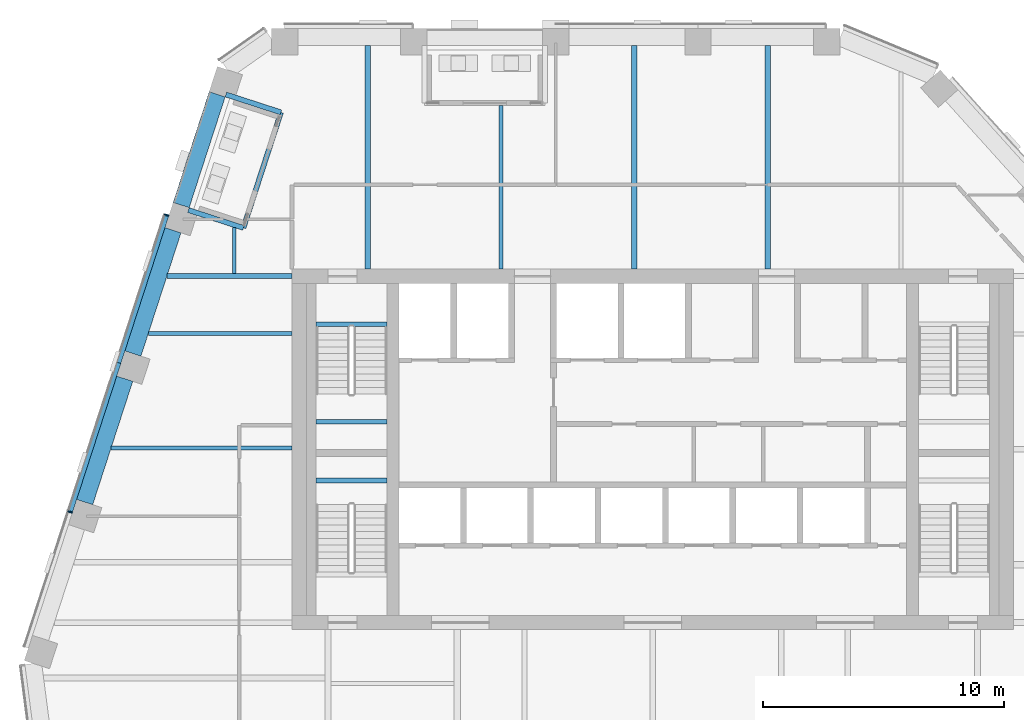
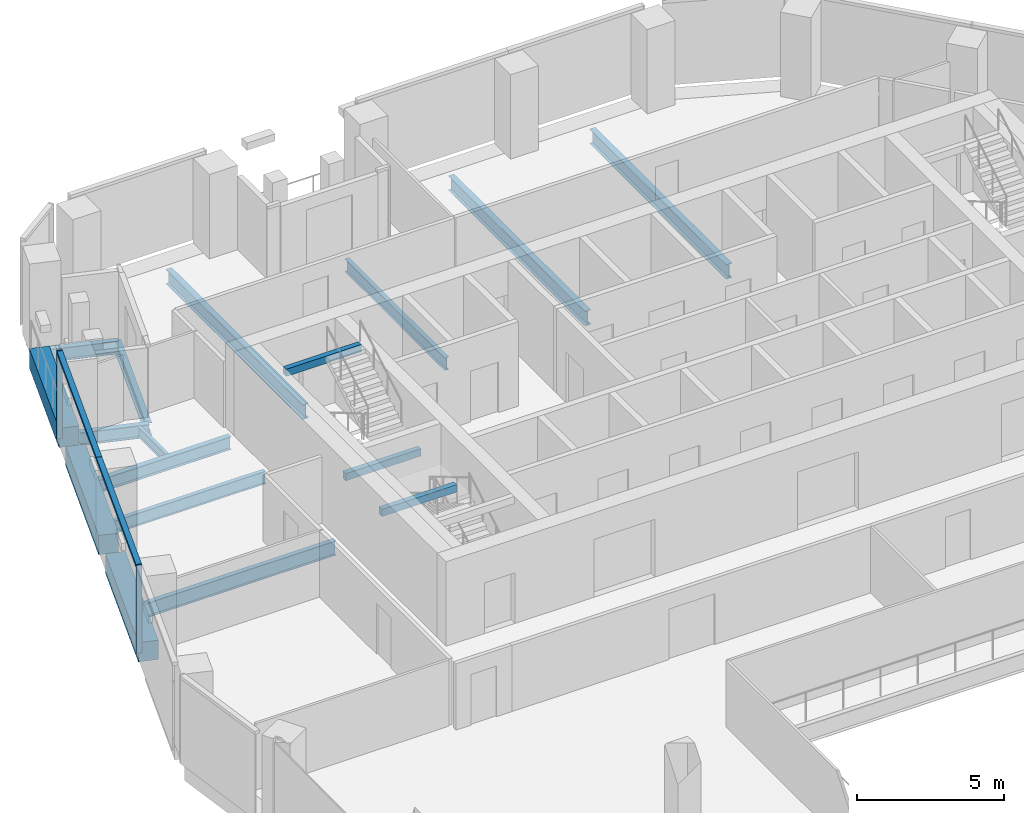
# One storey, part 7 of 25: 17 beams, 4 members, 1 element without a shape of its own.
"""IFC4 building model written with IfcOpenShell, lengths in metres."""

from ifc_helpers import new_model, si_unit, direction, frame, origin, origin_2d, place, context, subcontext, project, spatial, rectangle, i_section, extrude, material, layer, layer_set, material_profile, profile_set, type_object, element, aggregate, save


model = new_model("IFC4")

# Units and contexts
model_context = context("Model", 3, precision=1e-05, world=origin(), true_north=direction((0.0, 1.0)))
body_context = subcontext(model_context, "Body", "Model", "MODEL_VIEW")
ifc_project = project(units=[si_unit("LENGTHUNIT", "METRE"), si_unit("AREAUNIT", "SQUARE_METRE"), si_unit("VOLUMEUNIT", "CUBIC_METRE"), si_unit("PLANEANGLEUNIT", "RADIAN"), si_unit("MASSUNIT", "GRAM", prefix="KILO")], contexts=[model_context])

# Site, building, storey
site_placement = place(None, origin())
site = spatial("IfcSite", under=ifc_project, at=site_placement, CompositionType="ELEMENT")
building_placement = place(site_placement, origin())
building = spatial("IfcBuilding", under=site, at=building_placement, Name="Isthmus Gate Tower", CompositionType="ELEMENT")
storey_placement = place(building_placement, frame((0.0, 0.0, 249.14990234375)))
storey = spatial("IfcBuildingStorey", under=building, at=storey_placement, Name="L63", CompositionType="ELEMENT", Elevation=249.14990234375)

# Curtain wall, members
ifc_material_1 = material(Name="Aluminium, pale champagne anodised", Category="aluminium")
ifc_layer = layer(ifc_material_1, 0.199951171875)
ifc_layer_set = layer_set([ifc_layer], Name="CW-1 UNITISED CURTAIN WALL 200 DEEP")
curtain_wall_type = type_object("IfcCurtainWallType", Name="CW-1 UNITISED CURTAIN WALL 200 DEEP", PredefinedType="NOTDEFINED", material=ifc_layer_set)
curtain_wall_placement = place(storey_placement, origin())
curtain_wall = element("IfcCurtainWall", 1, at=curtain_wall_placement, inside=storey, type_object=curtain_wall_type, Name="CW-1 NW L63", PredefinedType="NOTDEFINED")
ifc_material_2 = material(Name="Aluminium, pale champagne anodised", Category="aluminium")
ifc_material_profile_1 = material_profile(ifc_material_2, rectangle(XDim=0.06005859375, YDim=0.199951171875, at=origin_2d()), Name="60x200")
ifc_profile_set_1 = profile_set([ifc_material_profile_1], Name="Aluminium, pale champagne anodised")
member_type_1 = type_object("IfcMemberType", Name="CW-1 MULLION 60 X 200", PredefinedType="MULLION", material=ifc_profile_set_1)
member_1_placement = place(storey_placement, frame((-20.214599609375, 17.2431640625, 0.0), z_axis=(0.0, 0.0, 1.0), x_axis=(-0.309016994375, -0.951056516295, 0.0)))
member_1 = element("IfcMember", 2, at=member_1_placement, type_object=member_type_1, Name="CW-1 mullion", PredefinedType="MULLION", context=body_context, shape_type="SweptSolid", body=[
    extrude(rectangle(XDim=0.06005859375, YDim=0.199951171875, at=origin_2d()), origin(), (0.0, 0.0, 1.0), 3.650146484375),
])
member_2_placement = place(storey_placement, frame((-24.226806640625, 4.894775390625, 0.0), z_axis=(0.0, 0.0, 1.0), x_axis=(-0.309016994375, -0.951056516295, 0.0)))
member_2 = element("IfcMember", 3, at=member_2_placement, type_object=member_type_1, Name="CW-1 mullion", PredefinedType="MULLION", context=body_context, shape_type="SweptSolid", body=[
    extrude(rectangle(XDim=0.06005859375, YDim=0.199951171875, at=origin_2d()), origin(), (0.0, 0.0, 1.0), 3.650146484375),
])
ifc_material_3 = material(Name="Aluminium, pale champagne anodised", Category="aluminium")
ifc_material_profile_2 = material_profile(ifc_material_3, rectangle(XDim=0.199951171875, YDim=0.1298828125, at=origin_2d()), Name="200x130")
ifc_profile_set_2 = profile_set([ifc_material_profile_2], Name="Aluminium, pale champagne anodised")
member_type_2 = type_object("IfcMemberType", Name="CW-1 TRANSOM 200 X 130", PredefinedType="USERDEFINED", material=ifc_profile_set_2)
member_3_placement = place(storey_placement, frame((-20.223876953125, 17.214599609375, 3.585205078125), z_axis=(-0.309021698497, -0.95105498782, 0.0), x_axis=(0.95105498782, -0.309021698497, 0.0)))
member_3 = element("IfcMember", 4, at=member_3_placement, type_object=member_type_2, Name="CW-1 transom", ObjectType="TRANSOM", PredefinedType="USERDEFINED", context=body_context, shape_type="SweptSolid", body=[
    extrude(rectangle(XDim=0.199951171875, YDim=0.1298828125, at=origin_2d()), origin(), (0.0, 0.0, 1.0), 6.431640625),
])
member_4_placement = place(storey_placement, frame((-22.21142578125, 11.09765625, 3.585205078125), z_axis=(-0.309009541063, -0.951058937991, 0.0), x_axis=(0.951058937991, -0.309009541063, 0.0)))
member_4 = element("IfcMember", 5, at=member_4_placement, type_object=member_type_2, Name="CW-1 transom", ObjectType="TRANSOM", PredefinedType="USERDEFINED", context=body_context, shape_type="SweptSolid", body=[
    extrude(rectangle(XDim=0.199951171875, YDim=0.1298828125, at=origin_2d()), origin(), (0.0, 0.0, 1.0), 6.491943359375),
])
aggregate(curtain_wall, [member_1, member_3, member_4, member_2])

# Beams
ifc_material_4 = material(Name="Concrete f'c 50 MPa", Category="concrete")
ifc_material_profile_3 = material_profile(ifc_material_4, rectangle(XDim=0.699951171875, YDim=0.800048828125, at=origin_2d()), Name="RC 700X800")
ifc_profile_set_3 = profile_set([ifc_material_profile_3], Name="Concrete f'c 50 MPa")
beam_type_1 = type_object("IfcBeamType", Name="RC SPANDREL 700 X 800", PredefinedType="SPANDREL", material=ifc_profile_set_3)
for number, where, z_axis, x_axis, name in (
    (6, (-23.61962890625, 5.307373046875, -0.39990234375), (0.309032831924, 0.951051370218, 0.0), (-0.951051370218, 0.309032831924, 0.0), "str-spandrel-L63-22"),
    (7, (-21.613525390625, 11.481689453125, -0.39990234375), (0.309032831924, 0.951051370218, 0.0), (-0.951051370218, 0.309032831924, 0.0), "str-spandrel-L63-23"),
):
    element("IfcBeam", number, at=place(storey_placement, frame(where, z_axis=z_axis, x_axis=x_axis)), inside=storey, type_object=beam_type_1, Name=name, PredefinedType="SPANDREL", context=body_context, shape_type="SweptSolid", body=[
        extrude(rectangle(XDim=0.699951171875, YDim=0.800048828125, at=origin_2d()), origin(), (0.0, 0.0, 1.0), 5.391845703125),
    ])
beam_1_placement = place(storey_placement, frame((-19.607421875, 17.65576171875, -0.39990234375), z_axis=(0.309033626624, 0.951051111989, 0.0), x_axis=(-0.951051111989, 0.309033626624, 0.0)))
element("IfcBeam", 8, at=beam_1_placement, inside=storey, type_object=beam_type_1, Name="str-spandrel-L63-24", PredefinedType="SPANDREL", context=body_context, shape_type="SweptSolid", body=[
    extrude(rectangle(XDim=0.699951171875, YDim=0.800048828125, at=origin_2d()), origin(), (0.0, 0.0, 1.0), 4.842041015625),
])
ifc_material_5 = material(Name="Concrete f'c 40 MPa", Category="concrete")
ifc_material_profile_4 = material_profile(ifc_material_5, rectangle(XDim=0.199951171875, YDim=0.300048828125, at=origin_2d()), Name="STAIR LANDING BEAM RC 200 X 300")
ifc_profile_set_4 = profile_set([ifc_material_profile_4], Name="Concrete f'c 40 MPa")
beam_type_2 = type_object("IfcBeamType", Name="STAIR LANDING BEAM RC 200 X 300", PredefinedType="BEAM", material=ifc_profile_set_4)
for number, where, z_axis, x_axis, name in (
    (9, (-14.0, 8.64990234375, 1.47509765625), (1.0, 0.0, 0.0), (0.0, 1.0, 0.0), "L63 ST1 landing beam 1"),
    (10, (-14.0, 12.7001953125, 3.35009765625), (1.0, 0.0, 0.0), (0.0, 1.0, 0.0), "L63 ST1 floor-edge seat beam"),
    (11, (-14.0, 6.199951171875, 1.47509765625), (1.0, 0.0, 0.0), (0.0, 1.0, 0.0), "L63 ST7 landing beam 1"),
):
    element("IfcBeam", number, at=place(storey_placement, frame(where, z_axis=z_axis, x_axis=x_axis)), inside=storey, type_object=beam_type_2, Name=name, PredefinedType="BEAM", context=body_context, shape_type="SweptSolid", body=[
        extrude(rectangle(XDim=0.199951171875, YDim=0.300048828125, at=origin_2d()), origin(), (0.0, 0.0, 1.0), 2.949951171875),
    ])
ifc_material_6 = material(Name="Structural steel ASTM A992 Gr 50", Category="steel")
ifc_material_profile_5 = material_profile(ifc_material_6, i_section(OverallWidth=0.1396484375, OverallDepth=0.4033203125, WebThickness=0.00634765625, FlangeThickness=0.010986328125, at=origin_2d()), Name="W16X31")
ifc_profile_set_5 = profile_set([ifc_material_profile_5], Name="Structural steel ASTM A992 Gr 50")
beam_type_3 = type_object("IfcBeamType", Name="STEEL FLOOR BEAM W16X31", PredefinedType="JOIST", material=ifc_profile_set_5)
beam_2_placement = place(storey_placement, frame((-17.394287109375, 14.8046875, -0.3515625), z_axis=(0.0, 1.0, 0.0), x_axis=(-1.0, 0.0, 0.0)))
element("IfcBeam", 12, at=beam_2_placement, inside=storey, type_object=beam_type_3, Name="str-beam-L63-08-00", PredefinedType="JOIST", context=body_context, shape_type="SweptSolid", body=[
    extrude(i_section(OverallWidth=0.1396484375, OverallDepth=0.4033203125, WebThickness=0.00634765625, FlangeThickness=0.010986328125, at=origin_2d()), origin(), (0.0, 0.0, 1.0), 1.91162109375),
])
ifc_material_7 = material(Name="Structural steel ASTM A992 Gr 50", Category="steel")
ifc_material_profile_6 = material_profile(ifc_material_7, i_section(OverallWidth=0.1650390625, OverallDepth=0.52392578125, WebThickness=0.009521484375, FlangeThickness=0.010986328125, at=origin_2d()), Name="W21X44")
ifc_profile_set_6 = profile_set([ifc_material_profile_6], Name="Structural steel ASTM A992 Gr 50")
beam_type_4 = type_object("IfcBeamType", Name="STEEL FLOOR BEAM W21X44", PredefinedType="JOIST", material=ifc_profile_set_6)
beam_3_placement = place(storey_placement, frame((-20.973388671875, 12.319091796875, -0.411865234375), z_axis=(1.0, 0.0, 0.0), x_axis=(0.0, 1.0, 0.0)))
element("IfcBeam", 13, at=beam_3_placement, inside=storey, type_object=beam_type_4, Name="str-beam-L63-00-02", PredefinedType="JOIST", context=body_context, shape_type="SweptSolid", body=[
    extrude(i_section(OverallWidth=0.1650390625, OverallDepth=0.52392578125, WebThickness=0.009521484375, FlangeThickness=0.010986328125, at=origin_2d()), origin(), (0.0, 0.0, 1.0), 5.973388671875),
])
beam_4_placement = place(storey_placement, frame((-6.308837890625, 15.0, -0.411865234375), z_axis=(0.0, 1.0, 0.0), x_axis=(-1.0, 0.0, 0.0)))
element("IfcBeam", 14, at=beam_4_placement, inside=storey, type_object=beam_type_4, Name="str-beam-L63-08-02", PredefinedType="JOIST", context=body_context, shape_type="SweptSolid", body=[
    extrude(i_section(OverallWidth=0.1650390625, OverallDepth=0.52392578125, WebThickness=0.009521484375, FlangeThickness=0.010986328125, at=origin_2d()), origin(), (0.0, 0.0, 1.0), 6.79052734375),
])
ifc_material_8 = material(Name="Structural steel ASTM A992 Gr 50", Category="steel")
ifc_material_profile_7 = material_profile(ifc_material_8, i_section(OverallWidth=0.177734375, OverallDepth=0.60009765625, WebThickness=0.009521484375, FlangeThickness=0.0126953125, at=origin_2d()), Name="W24X55")
ifc_profile_set_7 = profile_set([ifc_material_profile_7], Name="Structural steel ASTM A992 Gr 50")
beam_type_5 = type_object("IfcBeamType", Name="STEEL FLOOR BEAM W24X55", PredefinedType="JOIST", material=ifc_profile_set_7)
beam_5_placement = place(storey_placement, frame((-22.520751953125, 7.55712890625, -0.449951171875), z_axis=(1.0, 0.0, 0.0), x_axis=(0.0, 1.0, 0.0)))
element("IfcBeam", 15, at=beam_5_placement, inside=storey, type_object=beam_type_5, Name="str-beam-L63-00-01", PredefinedType="JOIST", context=body_context, shape_type="SweptSolid", body=[
    extrude(i_section(OverallWidth=0.177734375, OverallDepth=0.60009765625, WebThickness=0.009521484375, FlangeThickness=0.0126953125, at=origin_2d()), origin(), (0.0, 0.0, 1.0), 7.520751953125),
])
ifc_material_9 = material(Name="Structural steel ASTM A992 Gr 50", Category="steel")
ifc_material_profile_8 = material_profile(ifc_material_9, i_section(OverallWidth=0.228515625, OverallDepth=0.603271484375, WebThickness=0.010986328125, FlangeThickness=0.014404296875, at=origin_2d()), Name="W24X68")
ifc_profile_set_8 = profile_set([ifc_material_profile_8], Name="Structural steel ASTM A992 Gr 50")
beam_type_6 = type_object("IfcBeamType", Name="STEEL FLOOR BEAM W24X68", PredefinedType="JOIST", material=ifc_profile_set_8)
for number, where, z_axis, x_axis, name in (
    (16, (-11.8515625, 15.0, -0.451416015625), (0.0, 1.0, 0.0), (-1.0, 0.0, 0.0), "str-beam-L63-08-01"),
    (17, (-0.76611328125, 15.0, -0.451416015625), (0.0, 1.0, 0.0), (-1.0, 0.0, 0.0), "str-beam-L63-08-03"),
    (18, (4.776611328125, 15.0, -0.451416015625), (0.0, 1.0, 0.0), (-1.0, 0.0, 0.0), "str-beam-L63-08-04"),
):
    element("IfcBeam", number, at=place(storey_placement, frame(where, z_axis=z_axis, x_axis=x_axis)), inside=storey, type_object=beam_type_6, Name=name, PredefinedType="JOIST", context=body_context, shape_type="SweptSolid", body=[
        extrude(i_section(OverallWidth=0.228515625, OverallDepth=0.603271484375, WebThickness=0.010986328125, FlangeThickness=0.014404296875, at=origin_2d()), origin(), (0.0, 0.0, 1.0), 9.300048828125),
    ])
ifc_material_10 = material(Name="Structural steel ASTM A992 Gr 50", Category="steel")
ifc_material_profile_9 = material_profile(ifc_material_10, i_section(OverallWidth=0.20947265625, OverallDepth=0.533447265625, WebThickness=0.009521484375, FlangeThickness=0.015869140625, at=origin_2d()), Name="W21X62")
ifc_profile_set_9 = profile_set([ifc_material_profile_9], Name="Structural steel ASTM A992 Gr 50")
beam_type_7 = type_object("IfcBeamType", Name="STEEL GIRDER W21X62", PredefinedType="BEAM", material=ifc_profile_set_9)
beam_6_placement = place(storey_placement, frame((-15.0, 14.699951171875, -0.41650390625), z_axis=(-1.0, 0.0, 0.0), x_axis=(0.0, -1.0, 0.0)))
element("IfcBeam", 19, at=beam_6_placement, inside=storey, type_object=beam_type_7, Name="str-girder-L63-11", PredefinedType="BEAM", context=body_context, shape_type="SweptSolid", body=[
    extrude(i_section(OverallWidth=0.20947265625, OverallDepth=0.533447265625, WebThickness=0.009521484375, FlangeThickness=0.015869140625, at=origin_2d()), origin(), (0.0, 0.0, 1.0), 5.19970703125),
])
ifc_material_11 = material(Name="Structural steel ASTM A992 Gr 50", Category="steel")
ifc_material_profile_10 = material_profile(ifc_material_11, i_section(OverallWidth=0.20947265625, OverallDepth=0.533447265625, WebThickness=0.009521484375, FlangeThickness=0.015869140625, at=origin_2d()), Name="W21X62")
ifc_profile_set_10 = profile_set([ifc_material_profile_10], Name="Structural steel ASTM A992 Gr 50")
beam_type_8 = type_object("IfcBeamType", Name="STEEL TRIMMER W21X62", PredefinedType="BEAM", material=ifc_profile_set_10)
beam_7_placement = place(storey_placement, frame((-15.458984375, 21.509033203125, -0.41650390625), z_axis=(-0.30898334217, -0.951067449901, 0.0), x_axis=(0.951067449901, -0.30898334217, 0.0)))
element("IfcBeam", 20, at=beam_7_placement, inside=storey, type_object=beam_type_8, Name="str-loggiatrim-L63-02-B", PredefinedType="BEAM", context=body_context, shape_type="SweptSolid", body=[
    extrude(i_section(OverallWidth=0.20947265625, OverallDepth=0.533447265625, WebThickness=0.009521484375, FlangeThickness=0.015869140625, at=origin_2d()), origin(), (0.0, 0.0, 1.0), 5.05126953125),
])
beam_8_placement = place(storey_placement, frame((-17.745849609375, 22.252197265625, -0.41650390625), z_axis=(0.951042275832, -0.309060818579, 0.0), x_axis=(0.309060818579, 0.951042275832, 0.0)))
element("IfcBeam", 21, at=beam_8_placement, inside=storey, type_object=beam_type_8, Name="str-loggiatrim-L63-02-A", PredefinedType="BEAM", context=body_context, shape_type="SweptSolid", body=[
    extrude(i_section(OverallWidth=0.20947265625, OverallDepth=0.533447265625, WebThickness=0.009521484375, FlangeThickness=0.015869140625, at=origin_2d()), origin(), (0.0, 0.0, 1.0), 2.404541015625),
])
beam_9_placement = place(storey_placement, frame((-19.306884765625, 17.447998046875, -0.41650390625), z_axis=(0.951051972539, -0.309030978267, 0.0), x_axis=(0.309030978267, 0.951051972539, 0.0)))
element("IfcBeam", 22, at=beam_9_placement, inside=storey, type_object=beam_type_8, Name="str-loggiatrim-L63-02-C", PredefinedType="BEAM", context=body_context, shape_type="SweptSolid", body=[
    extrude(i_section(OverallWidth=0.20947265625, OverallDepth=0.533447265625, WebThickness=0.009521484375, FlangeThickness=0.015869140625, at=origin_2d()), origin(), (0.0, 0.0, 1.0), 2.40478515625),
])

save(model, "model.ifc")
